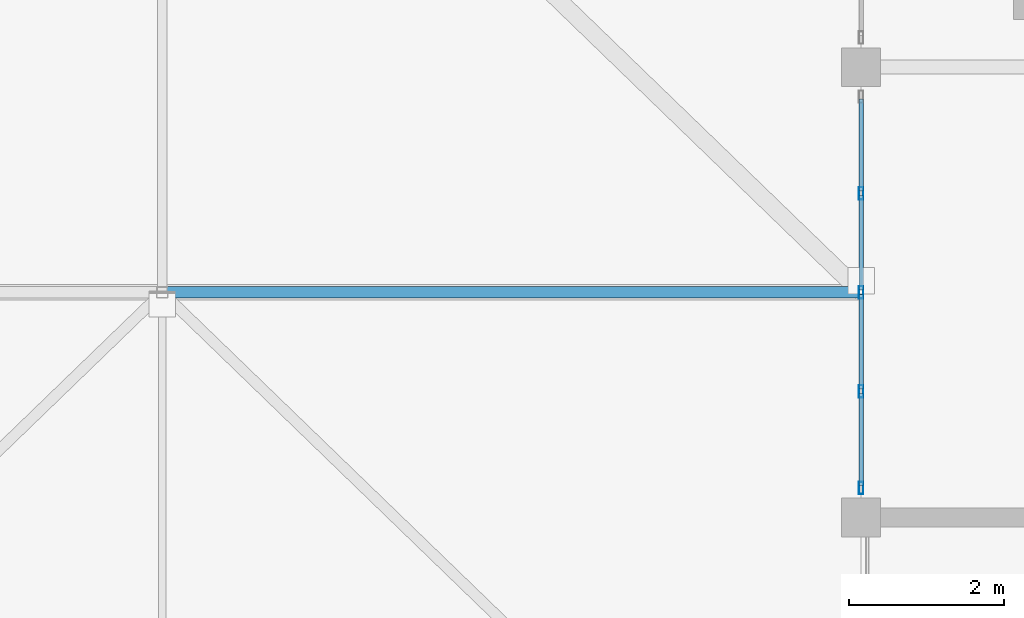
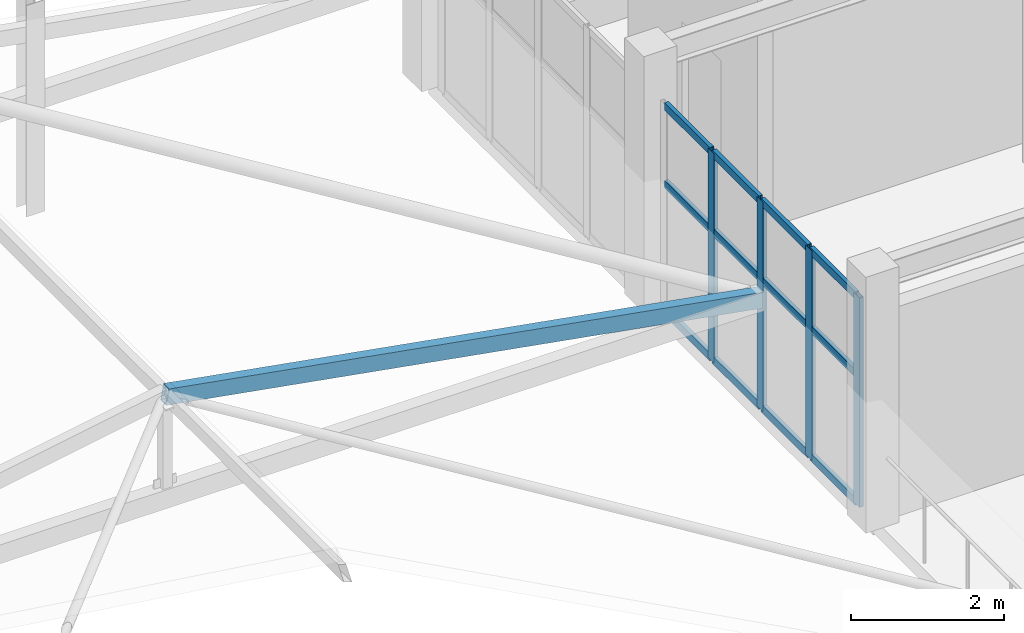
# One storey, part 17 of 128: 17 members, 1 element without a shape of its own.
"""IFC4 building model written with IfcOpenShell, lengths in metres."""

from ifc_helpers import new_model, si_unit, direction, frame, origin, origin_2d, place, context, subcontext, project, spatial, hollow_rectangle, extrude, material, material_profile, profile_set, type_object, element, aggregate, save


model = new_model("IFC4")

# Units and contexts
model_context = context("Model", 3, precision=1e-05, world=origin(), true_north=direction((0.0, 1.0)))
body_context = subcontext(model_context, "Body", "Model", "MODEL_VIEW")
ifc_project = project(units=[si_unit("LENGTHUNIT", "METRE"), si_unit("AREAUNIT", "SQUARE_METRE"), si_unit("VOLUMEUNIT", "CUBIC_METRE"), si_unit("PLANEANGLEUNIT", "RADIAN"), si_unit("MASSUNIT", "GRAM", prefix="KILO")], contexts=[model_context])

# Site, building, storey
site_placement = place(None, origin())
site = spatial("IfcSite", under=ifc_project, at=site_placement, CompositionType="ELEMENT")
building_placement = place(site_placement, origin())
building = spatial("IfcBuilding", under=site, at=building_placement, Name="Tanwirah Colonnade Gardens", CompositionType="ELEMENT")
storey_placement = place(building_placement, frame((0.0, 0.0, 4.760009765625)))
storey = spatial("IfcBuildingStorey", under=building, at=storey_placement, Name="L01", CompositionType="ELEMENT", Elevation=4.760009765625)

# Curtain wall, members
ifc_material_1 = material(Name="Bronze-anodised aluminium and solar-control low-E glass", Category="aluminium")
curtain_wall_type = type_object("IfcCurtainWallType", Name="CW-SHP", PredefinedType="NOTDEFINED", material=ifc_material_1)
curtain_wall_placement = place(storey_placement, origin())
curtain_wall = element("IfcCurtainWall", 1, at=curtain_wall_placement, inside=storey, type_object=curtain_wall_type, Name="Curtain Wall CW-SHP-E-L01-W-1", PredefinedType="NOTDEFINED")
ifc_material_2 = material(Name="Bronze-anodised aluminium", Category="aluminium")
ifc_material_profile_1 = material_profile(ifc_material_2, hollow_rectangle(XDim=0.06005859375, YDim=0.159912109375, WallThickness=0.00390625, at=origin_2d()), Name="CW-MUL 60x160x4")
ifc_profile_set_1 = profile_set([ifc_material_profile_1], Name="Bronze-anodised aluminium")
member_type_1 = type_object("IfcMemberType", Name="CWM-60x160", PredefinedType="MULLION", material=ifc_profile_set_1)
member_1_placement = place(storey_placement, frame((102.0, 16.97998046875, 0.0), z_axis=(0.0, 0.0, 1.0), x_axis=(-1.0, 0.0, 0.0)))
member_1 = element("IfcMember", 2, at=member_1_placement, type_object=member_type_1, Name="CW-SHP mullion 1", PredefinedType="MULLION", context=body_context, shape_type="SweptSolid", body=[
    extrude(hollow_rectangle(XDim=0.06005859375, YDim=0.159912109375, WallThickness=0.00390625, at=origin_2d()), origin(), (0.0, 0.0, 1.0), 3.340087890625),
])
member_2_placement = place(storey_placement, frame((102.0, 18.22509765625, 0.0), z_axis=(0.0, 0.0, 1.0), x_axis=(-1.0, 0.0, 0.0)))
member_2 = element("IfcMember", 3, at=member_2_placement, type_object=member_type_1, Name="CW-SHP mullion 2", PredefinedType="MULLION", context=body_context, shape_type="SweptSolid", body=[
    extrude(hollow_rectangle(XDim=0.06005859375, YDim=0.159912109375, WallThickness=0.00390625, at=origin_2d()), origin(), (0.0, 0.0, 1.0), 3.340087890625),
])
member_3_placement = place(storey_placement, frame((102.0, 19.5, 0.0), z_axis=(0.0, 0.0, 1.0), x_axis=(-1.0, 0.0, 0.0)))
member_3 = element("IfcMember", 4, at=member_3_placement, type_object=member_type_1, Name="CW-SHP mullion 3", PredefinedType="MULLION", context=body_context, shape_type="SweptSolid", body=[
    extrude(hollow_rectangle(XDim=0.06005859375, YDim=0.159912109375, WallThickness=0.00390625, at=origin_2d()), origin(), (0.0, 0.0, 1.0), 3.340087890625),
])
member_4_placement = place(storey_placement, frame((102.0, 20.77490234375, 0.0), z_axis=(0.0, 0.0, 1.0), x_axis=(-1.0, 0.0, 0.0)))
member_4 = element("IfcMember", 5, at=member_4_placement, type_object=member_type_1, Name="CW-SHP mullion 4", PredefinedType="MULLION", context=body_context, shape_type="SweptSolid", body=[
    extrude(hollow_rectangle(XDim=0.06005859375, YDim=0.159912109375, WallThickness=0.00390625, at=origin_2d()), origin(), (0.0, 0.0, 1.0), 3.340087890625),
])
ifc_material_profile_2 = material_profile(ifc_material_2, hollow_rectangle(XDim=0.06005859375, YDim=0.1201171875, WallThickness=0.00390625, at=origin_2d()), Name="CW-TRN 60x120x4")
ifc_profile_set_2 = profile_set([ifc_material_profile_2], Name="Bronze-anodised aluminium")
member_type_2 = type_object("IfcMemberType", Name="CWT-60x120", PredefinedType="USERDEFINED", material=ifc_profile_set_2)
member_5_placement = place(storey_placement, frame((102.0, 17.010009765625, 0.030029296875), z_axis=(0.0, 1.0, 0.0), x_axis=(-1.0, 0.0, 0.0)))
member_5 = element("IfcMember", 6, at=member_5_placement, type_object=member_type_2, Name="CW-SHP transom 1.1", ObjectType="TRANSOM", PredefinedType="USERDEFINED", context=body_context, shape_type="SweptSolid", body=[
    extrude(hollow_rectangle(XDim=0.06005859375, YDim=0.1201171875, WallThickness=0.00390625, at=origin_2d()), origin(), (0.0, 0.0, 1.0), 1.18505859375),
])
member_6_placement = place(storey_placement, frame((102.0, 17.010009765625, 2.07080078125), z_axis=(0.0, 1.0, 0.0), x_axis=(-1.0, 0.0, 0.0)))
member_6 = element("IfcMember", 7, at=member_6_placement, type_object=member_type_2, Name="CW-SHP transom 1.2", ObjectType="TRANSOM", PredefinedType="USERDEFINED", context=body_context, shape_type="SweptSolid", body=[
    extrude(hollow_rectangle(XDim=0.06005859375, YDim=0.1201171875, WallThickness=0.00390625, at=origin_2d()), origin(), (0.0, 0.0, 1.0), 1.18505859375),
])
member_7_placement = place(storey_placement, frame((102.0, 17.010009765625, 3.31005859375), z_axis=(0.0, 1.0, 0.0), x_axis=(-1.0, 0.0, 0.0)))
member_7 = element("IfcMember", 8, at=member_7_placement, type_object=member_type_2, Name="CW-SHP transom 1.3", ObjectType="TRANSOM", PredefinedType="USERDEFINED", context=body_context, shape_type="SweptSolid", body=[
    extrude(hollow_rectangle(XDim=0.06005859375, YDim=0.1201171875, WallThickness=0.00390625, at=origin_2d()), origin(), (0.0, 0.0, 1.0), 1.18505859375),
])
member_8_placement = place(storey_placement, frame((102.0, 18.2548828125, 0.030029296875), z_axis=(0.0, 1.0, 0.0), x_axis=(-1.0, 0.0, 0.0)))
member_8 = element("IfcMember", 9, at=member_8_placement, type_object=member_type_2, Name="CW-SHP transom 2.1", ObjectType="TRANSOM", PredefinedType="USERDEFINED", context=body_context, shape_type="SweptSolid", body=[
    extrude(hollow_rectangle(XDim=0.06005859375, YDim=0.1201171875, WallThickness=0.00390625, at=origin_2d()), origin(), (0.0, 0.0, 1.0), 1.215087890625),
])
member_9_placement = place(storey_placement, frame((102.0, 18.2548828125, 2.07080078125), z_axis=(0.0, 1.0, 0.0), x_axis=(-1.0, 0.0, 0.0)))
member_9 = element("IfcMember", 10, at=member_9_placement, type_object=member_type_2, Name="CW-SHP transom 2.2", ObjectType="TRANSOM", PredefinedType="USERDEFINED", context=body_context, shape_type="SweptSolid", body=[
    extrude(hollow_rectangle(XDim=0.06005859375, YDim=0.1201171875, WallThickness=0.00390625, at=origin_2d()), origin(), (0.0, 0.0, 1.0), 1.215087890625),
])
member_10_placement = place(storey_placement, frame((102.0, 18.2548828125, 3.31005859375), z_axis=(0.0, 1.0, 0.0), x_axis=(-1.0, 0.0, 0.0)))
member_10 = element("IfcMember", 11, at=member_10_placement, type_object=member_type_2, Name="CW-SHP transom 2.3", ObjectType="TRANSOM", PredefinedType="USERDEFINED", context=body_context, shape_type="SweptSolid", body=[
    extrude(hollow_rectangle(XDim=0.06005859375, YDim=0.1201171875, WallThickness=0.00390625, at=origin_2d()), origin(), (0.0, 0.0, 1.0), 1.215087890625),
])
member_11_placement = place(storey_placement, frame((102.0, 19.530029296875, 0.030029296875), z_axis=(0.0, 1.0, 0.0), x_axis=(-1.0, 0.0, 0.0)))
member_11 = element("IfcMember", 12, at=member_11_placement, type_object=member_type_2, Name="CW-SHP transom 3.1", ObjectType="TRANSOM", PredefinedType="USERDEFINED", context=body_context, shape_type="SweptSolid", body=[
    extrude(hollow_rectangle(XDim=0.06005859375, YDim=0.1201171875, WallThickness=0.00390625, at=origin_2d()), origin(), (0.0, 0.0, 1.0), 1.215087890625),
])
member_12_placement = place(storey_placement, frame((102.0, 19.530029296875, 2.07080078125), z_axis=(0.0, 1.0, 0.0), x_axis=(-1.0, 0.0, 0.0)))
member_12 = element("IfcMember", 13, at=member_12_placement, type_object=member_type_2, Name="CW-SHP transom 3.2", ObjectType="TRANSOM", PredefinedType="USERDEFINED", context=body_context, shape_type="SweptSolid", body=[
    extrude(hollow_rectangle(XDim=0.06005859375, YDim=0.1201171875, WallThickness=0.00390625, at=origin_2d()), origin(), (0.0, 0.0, 1.0), 1.215087890625),
])
member_13_placement = place(storey_placement, frame((102.0, 19.530029296875, 3.31005859375), z_axis=(0.0, 1.0, 0.0), x_axis=(-1.0, 0.0, 0.0)))
member_13 = element("IfcMember", 14, at=member_13_placement, type_object=member_type_2, Name="CW-SHP transom 3.3", ObjectType="TRANSOM", PredefinedType="USERDEFINED", context=body_context, shape_type="SweptSolid", body=[
    extrude(hollow_rectangle(XDim=0.06005859375, YDim=0.1201171875, WallThickness=0.00390625, at=origin_2d()), origin(), (0.0, 0.0, 1.0), 1.215087890625),
])
member_14_placement = place(storey_placement, frame((102.0, 20.804931640625, 0.030029296875), z_axis=(0.0, 1.0, 0.0), x_axis=(-1.0, 0.0, 0.0)))
member_14 = element("IfcMember", 15, at=member_14_placement, type_object=member_type_2, Name="CW-SHP transom 4.1", ObjectType="TRANSOM", PredefinedType="USERDEFINED", context=body_context, shape_type="SweptSolid", body=[
    extrude(hollow_rectangle(XDim=0.06005859375, YDim=0.1201171875, WallThickness=0.00390625, at=origin_2d()), origin(), (0.0, 0.0, 1.0), 1.18505859375),
])
member_15_placement = place(storey_placement, frame((102.0, 20.804931640625, 2.07080078125), z_axis=(0.0, 1.0, 0.0), x_axis=(-1.0, 0.0, 0.0)))
member_15 = element("IfcMember", 16, at=member_15_placement, type_object=member_type_2, Name="CW-SHP transom 4.2", ObjectType="TRANSOM", PredefinedType="USERDEFINED", context=body_context, shape_type="SweptSolid", body=[
    extrude(hollow_rectangle(XDim=0.06005859375, YDim=0.1201171875, WallThickness=0.00390625, at=origin_2d()), origin(), (0.0, 0.0, 1.0), 1.18505859375),
])
member_16_placement = place(storey_placement, frame((102.0, 20.804931640625, 3.31005859375), z_axis=(0.0, 1.0, 0.0), x_axis=(-1.0, 0.0, 0.0)))
member_16 = element("IfcMember", 17, at=member_16_placement, type_object=member_type_2, Name="CW-SHP transom 4.3", ObjectType="TRANSOM", PredefinedType="USERDEFINED", context=body_context, shape_type="SweptSolid", body=[
    extrude(hollow_rectangle(XDim=0.06005859375, YDim=0.1201171875, WallThickness=0.00390625, at=origin_2d()), origin(), (0.0, 0.0, 1.0), 1.18505859375),
])
aggregate(curtain_wall, [member_1, member_2, member_3, member_4, member_5, member_6, member_7, member_8, member_9, member_10, member_11, member_12, member_13, member_14, member_15, member_16])

# Member
ifc_material_3 = material(Name="Steel S355", Category="steel")
ifc_material_profile_3 = material_profile(ifc_material_3, hollow_rectangle(XDim=0.14990234375, YDim=0.25, WallThickness=0.010009765625, at=origin_2d()), Name="RHS 250x150x10")
ifc_profile_set_3 = profile_set([ifc_material_profile_3], Name="Steel S355")
member_type_3 = type_object("IfcMemberType", Name="RFT-RHS250", PredefinedType="RAFTER", material=ifc_profile_set_3)
member_17_placement = place(storey_placement, frame((93.0, 19.5, 3.369873046875), z_axis=(0.984565269242, 0.0, -0.175017800818), x_axis=(0.0, 1.0, 0.0)))
element("IfcMember", 18, at=member_17_placement, inside=storey, type_object=member_type_3, Name="Canopy East Rafter 1", PredefinedType="RAFTER", context=body_context, shape_type="SweptSolid", body=[
    extrude(hollow_rectangle(XDim=0.14990234375, YDim=0.25, WallThickness=0.010009765625, at=origin_2d()), origin(), (0.0, 0.0, 1.0), 9.14111328125),
])

save(model, "model.ifc")
